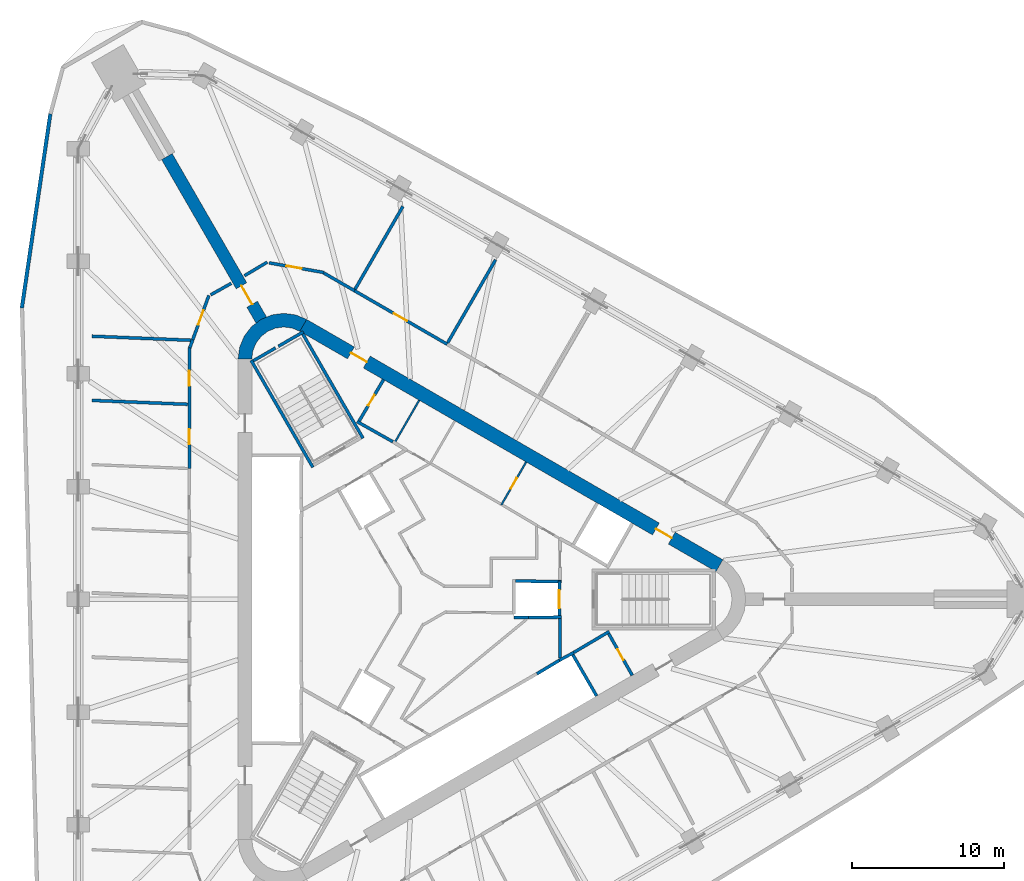
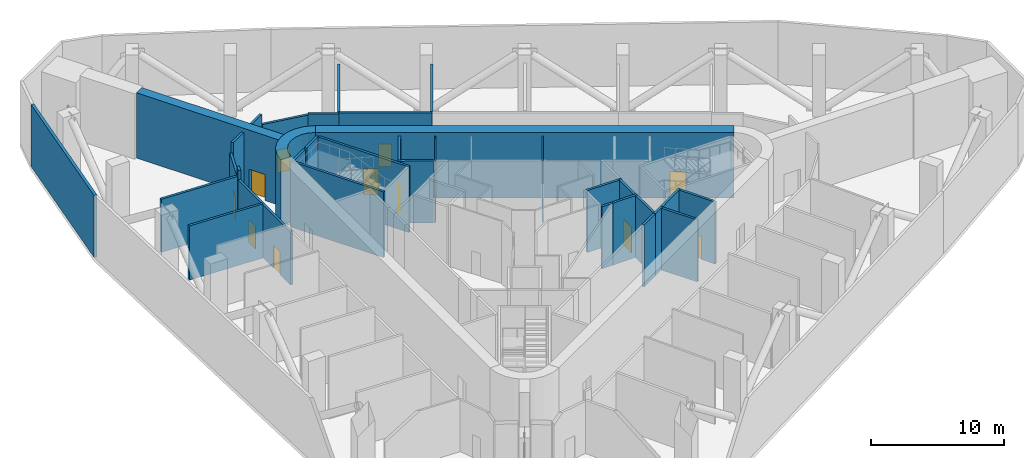
# One storey, part 6 of 13: 34 walls, 12 doors, 12 openings.
"""IFC4 building model written with IfcOpenShell, lengths in metres."""

from ifc_helpers import new_model, si_unit, direction, frame, frame_2d, origin, place, context, subcontext, project, spatial, polyline, rectangle, outline, extrude, material, layer, layer_set, type_object, element, fill, save


model = new_model("IFC4")

# Units and contexts
model_context = context("Model", 3, precision=1e-05, world=origin(), true_north=direction((0.0, 1.0)))
body_context = subcontext(model_context, "Body", "Model", "MODEL_VIEW")
ifc_project = project(units=[si_unit("LENGTHUNIT", "METRE"), si_unit("AREAUNIT", "SQUARE_METRE"), si_unit("VOLUMEUNIT", "CUBIC_METRE"), si_unit("PLANEANGLEUNIT", "RADIAN"), si_unit("MASSUNIT", "GRAM", prefix="KILO")], contexts=[model_context])

# Site, building, storey
site_placement = place(None, origin())
site = spatial("IfcSite", under=ifc_project, at=site_placement, CompositionType="ELEMENT")
building_placement = place(site_placement, origin())
building = spatial("IfcBuilding", under=site, at=building_placement, Name="Tanit Gate Tower", CompositionType="ELEMENT")
storey_placement = place(building_placement, frame((0.0, 0.0, 163.199951171875)))
storey = spatial("IfcBuildingStorey", under=building, at=storey_placement, Name="L35", CompositionType="ELEMENT", Elevation=163.199951171875)

# Wall, opening, door
ifc_material_1 = material(Name="Concrete C60/75", Category="concrete")
ifc_layer_1 = layer(ifc_material_1, 0.800048828125)
ifc_layer_set_1 = layer_set([ifc_layer_1], Name="BUTTRESS FIN 800 C60/75")
wall_type_1 = type_object("IfcWallType", Name="BUTTRESS FIN 800 C60/75", PredefinedType="SHEAR", material=ifc_layer_set_1)
wall_1_placement = place(storey_placement, frame((-10.574951171875, 18.31640625, 0.0), z_axis=(0.0, 0.0, 1.0), x_axis=(-0.500002326941, 0.86602406032, 0.0)))
wall_1 = element("IfcWall", 1, at=wall_1_placement, inside=storey, type_object=wall_type_1, Name="BUTTRESS FIN", PredefinedType="SHEAR", context=body_context, shape_type="SweptSolid", body=[
    extrude(rectangle(XDim=12.3837890625, YDim=0.800048828125, at=frame_2d((6.19189453125, 0.0))), origin(), (0.0, 0.0, 1.0), 6.0),
])
opening_1_placement = place(wall_1_placement, frame((1.199951171875, 0.0, 0.0)))
opening_1 = element("IfcOpeningElement", 2, at=opening_1_placement, cuts=wall_1, Name="Opening P14-35-F-NW-1", PredefinedType="OPENING", context=body_context, shape_type="SweptSolid", body=[
    extrude(rectangle(XDim=1.39990234375, YDim=2.39990234375, at=frame_2d((0.699951171875, 1.199951171875))), frame((0.0, 0.41015625, 0.0), z_axis=(0.0, -1.0, 0.0), x_axis=(1.0, 0.0, 0.0)), (0.0, 0.0, 1.0), 0.820068359375),
])
ifc_material_2 = material(Name="Timber door leaf", Category="wood")
door_type_1 = type_object("IfcDoorType", Name="INT-DOOR-FIN-PAIR-1400", OperationType="NOTDEFINED", PredefinedType="NOTDEFINED", material=ifc_material_2)
door_1_placement = place(opening_1_placement, origin())
door_1 = element("IfcDoor", 3, at=door_1_placement, inside=storey, type_object=door_type_1, Name="Door P14-35-F-NW-1", OperationType="DOUBLE_DOOR_SINGLE_SWING", OverallHeight=2.39990234375, OverallWidth=1.39990234375, PredefinedType="NOTDEFINED", context=body_context, shape_type="SweptSolid", body=[
    extrude(rectangle(XDim=1.39990234375, YDim=2.39990234375, at=frame_2d((0.699951171875, 1.199951171875))), frame((0.0, 0.02490234375, 0.0), z_axis=(0.0, -1.0, 0.0), x_axis=(1.0, 0.0, 0.0)), (0.0, 0.0, 1.0), 0.050048828125),
])
fill(opening_1, door_1)

# Wall, openings, doors
ifc_material_3 = material(Name="Concrete C60/75", Category="concrete")
ifc_layer_2 = layer(ifc_material_3, 0.89990234375)
ifc_layer_set_2 = layer_set([ifc_layer_2], Name="CORE WALL 900 C60/75")
wall_type_2 = type_object("IfcWallType", Name="CORE WALL 900 C60/75", PredefinedType="SHEAR", material=ifc_layer_set_2)
wall_2_placement = place(storey_placement, frame((19.47509765625, 2.20849609375, 0.0), z_axis=(0.0, 0.0, 1.0), x_axis=(-0.866028369851, 0.499994862586, 0.0)))
wall_2 = element("IfcWall", 4, at=wall_2_placement, inside=storey, type_object=wall_type_2, Name="CORE WALL", PredefinedType="SHEAR", context=body_context, shape_type="SweptSolid", body=[
    extrude(rectangle(XDim=31.523193359375, YDim=0.89990234375, at=frame_2d((15.76171875, 0.0))), origin(), (0.0, 0.0, 1.0), 6.0),
])
opening_2_placement = place(wall_2_placement, frame((3.611572265625, 0.0, 0.0)))
opening_2 = element("IfcOpeningElement", 5, at=opening_2_placement, cuts=wall_2, Name="Opening F12-35-FL1", PredefinedType="OPENING", context=body_context, shape_type="SweptSolid", body=[
    extrude(rectangle(XDim=1.199951171875, YDim=2.39990234375, at=frame_2d((0.60009765625, 1.199951171875))), frame((0.0, 0.4599609375, 0.0), z_axis=(0.0, -1.0, 0.0), x_axis=(1.0, 0.0, 0.0)), (0.0, 0.0, 1.0), 0.919921875),
])
opening_3_placement = place(wall_2_placement, frame((26.711669921875, 0.0, 0.0)))
opening_3 = element("IfcOpeningElement", 6, at=opening_3_placement, cuts=wall_2, Name="Opening F12-35-S2", PredefinedType="OPENING", context=body_context, shape_type="SweptSolid", body=[
    extrude(rectangle(XDim=1.199951171875, YDim=2.39990234375, at=frame_2d((0.60009765625, 1.199951171875))), frame((0.0, 0.4599609375, 0.0), z_axis=(0.0, -1.0, 0.0), x_axis=(1.0, 0.0, 0.0)), (0.0, 0.0, 1.0), 0.919921875),
])
ifc_material_4 = material(Name="Fire-rated steel door leaf", Category="steel")
door_type_2 = type_object("IfcDoorType", Name="INT-DOOR-FIRE-LOBBY-1200", OperationType="NOTDEFINED", PredefinedType="USERDEFINED", material=ifc_material_4)
door_2_placement = place(opening_2_placement, origin())
door_2 = element("IfcDoor", 7, at=door_2_placement, inside=storey, type_object=door_type_2, Name="Door F12-35-FL1", ObjectType="FIRE DOOR", OperationType="SINGLE_SWING_RIGHT", OverallHeight=2.39990234375, OverallWidth=1.199951171875, PredefinedType="USERDEFINED", context=body_context, shape_type="SweptSolid", body=[
    extrude(rectangle(XDim=1.199951171875, YDim=2.39990234375, at=frame_2d((0.60009765625, 1.199951171875))), frame((0.0, 0.02490234375, 0.0), z_axis=(0.0, -1.0, 0.0), x_axis=(1.0, 0.0, 0.0)), (0.0, 0.0, 1.0), 0.050048828125),
])
fill(opening_2, door_2)
door_3_placement = place(opening_3_placement, origin())
door_3 = element("IfcDoor", 8, at=door_3_placement, inside=storey, type_object=door_type_2, Name="Door F12-35-S2", ObjectType="FIRE DOOR", OperationType="SINGLE_SWING_RIGHT", OverallHeight=2.39990234375, OverallWidth=1.199951171875, PredefinedType="USERDEFINED", context=body_context, shape_type="SweptSolid", body=[
    extrude(rectangle(XDim=1.199951171875, YDim=2.39990234375, at=frame_2d((0.60009765625, 1.199951171875))), frame((0.0, 0.02490234375, 0.0), z_axis=(0.0, -1.0, 0.0), x_axis=(1.0, 0.0, 0.0)), (0.0, 0.0, 1.0), 0.050048828125),
])
fill(opening_3, door_3)

# Walls
wall_3_placement = place(storey_placement, origin())
element("IfcWall", 9, at=wall_3_placement, inside=storey, type_object=wall_type_2, Name="CORE WALL CORNER", PredefinedType="SHEAR", context=body_context, shape_type="SweptSolid", body=[
    extrude(outline(polyline([(-7.60009765625, 18.359619140625), (-8.323486328125, 18.659423828125), (-9.10009765625, 18.76171875), (-9.87646484375, 18.659423828125), (-10.60009765625, 18.359619140625), (-11.22119140625, 17.883056640625), (-11.697998046875, 17.26171875), (-11.997802734375, 16.5380859375), (-12.10009765625, 15.76171875), (-11.199951171875, 15.76171875), (-11.12841796875, 16.30517578125), (-10.918701171875, 16.811767578125), (-10.5849609375, 17.24658203125), (-10.14990234375, 17.580322265625), (-9.6435546875, 17.7900390625), (-9.10009765625, 17.86181640625), (-8.556396484375, 17.7900390625), (-8.050048828125, 17.580322265625), (-7.60009765625, 18.359619140625)])), origin(), (0.0, 0.0, 1.0), 6.0),
])
ifc_material_5 = material(Name="Concrete C30/37 with bronze anodised aluminium cladding", Category="concrete")
ifc_layer_3 = layer(ifc_material_5, 0.239990234375)
ifc_layer_set_3 = layer_set([ifc_layer_3], Name="Facade wall bronze clad 240")
wall_type_3 = type_object("IfcWallType", Name="Facade wall bronze clad 240", PredefinedType="SOLIDWALL", material=ifc_layer_set_3)
wall_4_placement = place(storey_placement, frame((-24.414794921875, 31.841552734375, 0.0), z_axis=(0.0, 0.0, 1.0), x_axis=(-0.145206079159, -0.989401432471, 0.0)))
element("IfcWall", 10, at=wall_4_placement, inside=storey, type_object=wall_type_3, Name="Bronze-clad facade wall L35 W1", PredefinedType="SOLIDWALL", context=body_context, shape_type="SweptSolid", body=[
    extrude(rectangle(XDim=12.86572265625, YDim=0.239990234375, at=frame_2d((6.432861328125, 0.0))), origin(), (0.0, 0.0, 1.0), 5.699951171875),
])
ifc_material_6 = material(Name="Fire-rated gypsum board partition")
ifc_layer_4 = layer(ifc_material_6, 0.199951171875)
ifc_layer_set_4 = layer_set([ifc_layer_4], Name="INT-WALL-COMPARTMENT")
wall_type_4 = type_object("IfcWallType", Name="INT-WALL-COMPARTMENT", PredefinedType="PARTITIONING", material=ifc_layer_set_4)
wall_5_placement = place(storey_placement, frame((-4.296142578125, 11.658935546875, 0.0), z_axis=(0.0, 0.0, 1.0), x_axis=(0.871534483978, -0.490334215854, 0.0)))
element("IfcWall", 11, at=wall_5_placement, inside=storey, type_object=wall_type_4, Name="Wall Compartment W062", PredefinedType="PARTITIONING", context=body_context, shape_type="SweptSolid", body=[
    extrude(rectangle(XDim=2.7001953125, YDim=0.199951171875, at=frame_2d((1.35009765625, 0.0))), origin(), (0.0, 0.0, 1.0), 5.699951171875),
])

# Wall, opening, door
wall_6_placement = place(storey_placement, frame((-2.557861328125, 14.409423828125, 0.0), z_axis=(0.0, 0.0, 1.0), x_axis=(-0.508018930956, -0.861345903683, 0.0)))
wall_6 = element("IfcWall", 12, at=wall_6_placement, inside=storey, type_object=wall_type_4, Name="Wall Compartment W063", PredefinedType="PARTITIONING", context=body_context, shape_type="SweptSolid", body=[
    extrude(rectangle(XDim=3.150146484375, YDim=0.199951171875, at=frame_2d((1.5751953125, 0.0))), origin(), (0.0, 0.0, 1.0), 5.699951171875),
])
opening_4_placement = place(wall_6_placement, frame((1.175048828125, 0.0, 0.0)))
opening_4 = element("IfcOpeningElement", 13, at=opening_4_placement, cuts=wall_6, Name="Opening R08-35-17", PredefinedType="OPENING", context=body_context, shape_type="SweptSolid", body=[
    extrude(rectangle(XDim=0.800048828125, YDim=2.10009765625, at=frame_2d((0.39990234375, 1.050048828125))), frame((0.0, 0.10986328125, 0.0), z_axis=(0.0, -1.0, 0.0), x_axis=(1.0, 0.0, 0.0)), (0.0, 0.0, 1.0), 0.219970703125),
])
ifc_material_7 = material(Name="Timber door leaf", Category="wood")
door_type_3 = type_object("IfcDoorType", Name="INT-DOOR-RISER-800", OperationType="NOTDEFINED", PredefinedType="USERDEFINED", material=ifc_material_7)
door_4_placement = place(opening_4_placement, origin())
door_4 = element("IfcDoor", 14, at=door_4_placement, inside=storey, type_object=door_type_3, Name="Door R08-35-17", ObjectType="FIRE DOOR", OperationType="SINGLE_SWING_RIGHT", OverallHeight=2.10009765625, OverallWidth=0.800048828125, PredefinedType="USERDEFINED", context=body_context, shape_type="SweptSolid", body=[
    extrude(rectangle(XDim=0.800048828125, YDim=2.10009765625, at=frame_2d((0.39990234375, 1.050048828125))), frame((0.0, 0.02490234375, 0.0), z_axis=(0.0, -1.0, 0.0), x_axis=(1.0, 0.0, 0.0)), (0.0, 0.0, 1.0), 0.050048828125),
])
fill(opening_4, door_4)

# Wall
wall_7_placement = place(storey_placement, frame((12.244873046875, -2.10888671875, 0.0), z_axis=(0.0, 0.0, 1.0), x_axis=(-0.860414880418, -0.509594185166, 0.0)))
element("IfcWall", 15, at=wall_7_placement, inside=storey, type_object=wall_type_4, Name="Wall Compartment W064", PredefinedType="PARTITIONING", context=body_context, shape_type="SweptSolid", body=[
    extrude(rectangle(XDim=2.7001953125, YDim=0.199951171875, at=frame_2d((1.35009765625, 0.0))), origin(), (0.0, 0.0, 1.0), 5.699951171875),
])

# Wall, opening, door
wall_8_placement = place(storey_placement, frame((13.758056640625, -4.989501953125, 0.0), z_axis=(0.0, 0.0, 1.0), x_axis=(-0.491993409184, 0.87059892334, 0.0)))
wall_8 = element("IfcWall", 16, at=wall_8_placement, inside=storey, type_object=wall_type_4, Name="Wall Compartment W065", PredefinedType="PARTITIONING", context=body_context, shape_type="SweptSolid", body=[
    extrude(rectangle(XDim=3.150146484375, YDim=0.199951171875, at=frame_2d((1.5751953125, 0.0))), origin(), (0.0, 0.0, 1.0), 5.699951171875),
])
opening_5_placement = place(wall_8_placement, frame((1.175048828125, 0.0, 0.0)))
opening_5 = element("IfcOpeningElement", 17, at=opening_5_placement, cuts=wall_8, Name="Opening R08-35-18", PredefinedType="OPENING", context=body_context, shape_type="SweptSolid", body=[
    extrude(rectangle(XDim=0.800048828125, YDim=2.10009765625, at=frame_2d((0.39990234375, 1.050048828125))), frame((0.0, 0.10986328125, 0.0), z_axis=(0.0, -1.0, 0.0), x_axis=(1.0, 0.0, 0.0)), (0.0, 0.0, 1.0), 0.219970703125),
])
door_5_placement = place(opening_5_placement, origin())
door_5 = element("IfcDoor", 18, at=door_5_placement, inside=storey, type_object=door_type_3, Name="Door R08-35-18", ObjectType="FIRE DOOR", OperationType="SINGLE_SWING_RIGHT", OverallHeight=2.10009765625, OverallWidth=0.800048828125, PredefinedType="USERDEFINED", context=body_context, shape_type="SweptSolid", body=[
    extrude(rectangle(XDim=0.800048828125, YDim=2.10009765625, at=frame_2d((0.39990234375, 1.050048828125))), frame((0.0, 0.02490234375, 0.0), z_axis=(0.0, -1.0, 0.0), x_axis=(1.0, 0.0, 0.0)), (0.0, 0.0, 1.0), 0.050048828125),
])
fill(opening_5, door_5)

# Wall
wall_9_placement = place(storey_placement, frame((9.02880859375, -3.8505859375, 0.0), z_axis=(0.0, 0.0, 1.0), x_axis=(-0.010784614026, 0.999941844359, 0.0)))
element("IfcWall", 19, at=wall_9_placement, inside=storey, type_object=wall_type_4, Name="Wall Compartment W066", PredefinedType="PARTITIONING", context=body_context, shape_type="SweptSolid", body=[
    extrude(rectangle(XDim=2.580810546875, YDim=0.199951171875, at=frame_2d((1.29052734375, 0.0))), origin(), (0.0, 0.0, 1.0), 5.699951171875),
])

# Wall, opening, door
wall_10_placement = place(storey_placement, frame((-14.01611328125, 19.932373046875, 0.0), z_axis=(0.0, 0.0, 1.0), x_axis=(-0.342040663333, -0.93968515186, 0.0)))
wall_10 = element("IfcWall", 20, at=wall_10_placement, inside=storey, type_object=wall_type_4, Name="Wall Compartment W091", PredefinedType="PARTITIONING", context=body_context, shape_type="SweptSolid", body=[
    extrude(rectangle(XDim=3.095703125, YDim=0.199951171875, at=frame_2d((1.5478515625, 0.0))), origin(), (0.0, 0.0, 1.0), 4.780029296875),
])
opening_6_placement = place(wall_10_placement, frame((1.037109375, 0.0, 0.0)))
opening_6 = element("IfcOpeningElement", 21, at=opening_6_placement, cuts=wall_10, Name="Opening F10-35-19", PredefinedType="OPENING", context=body_context, shape_type="SweptSolid", body=[
    extrude(rectangle(XDim=1.0, YDim=2.10009765625, at=frame_2d((0.5, 1.050048828125))), frame((0.0, 0.10986328125, 0.0), z_axis=(0.0, -1.0, 0.0), x_axis=(1.0, 0.0, 0.0)), (0.0, 0.0, 1.0), 0.219970703125),
])
ifc_material_8 = material(Name="Fire-rated steel door leaf", Category="steel")
door_type_4 = type_object("IfcDoorType", Name="INT-DOOR-FIRE-1000", OperationType="NOTDEFINED", PredefinedType="USERDEFINED", material=ifc_material_8)
door_6_placement = place(opening_6_placement, origin())
door_6 = element("IfcDoor", 22, at=door_6_placement, inside=storey, type_object=door_type_4, Name="Door F10-35-19", ObjectType="FIRE DOOR", OperationType="SINGLE_SWING_RIGHT", OverallHeight=2.10009765625, OverallWidth=1.0, PredefinedType="USERDEFINED", context=body_context, shape_type="SweptSolid", body=[
    extrude(rectangle(XDim=1.0, YDim=2.10009765625, at=frame_2d((0.5, 1.050048828125))), frame((0.0, 0.02490234375, 0.0), z_axis=(0.0, -1.0, 0.0), x_axis=(1.0, 0.0, 0.0)), (0.0, 0.0, 1.0), 0.050048828125),
])
fill(opening_6, door_6)

# Walls
wall_11_placement = place(storey_placement, frame((-15.074951171875, 17.0234375, 0.0), z_axis=(0.0, 0.0, 1.0), x_axis=(-0.342234962653, -0.939614405135, 0.0)))
element("IfcWall", 23, at=wall_11_placement, inside=storey, type_object=wall_type_4, Name="Wall Compartment W094", PredefinedType="PARTITIONING", context=body_context, shape_type="SweptSolid", body=[
    extrude(rectangle(XDim=0.557861328125, YDim=0.199951171875, at=frame_2d((0.27880859375, 0.0))), origin(), (0.0, 0.0, 1.0), 5.699951171875),
])
wall_12_placement = place(storey_placement, frame((-12.54443359375, 20.727783203125, 0.0), z_axis=(0.0, 0.0, 1.0), x_axis=(-0.872739922591, -0.488185443777, 0.0)))
element("IfcWall", 24, at=wall_12_placement, inside=storey, type_object=wall_type_4, Name="Wall Compartment W092", PredefinedType="PARTITIONING", context=body_context, shape_type="SweptSolid", body=[
    extrude(rectangle(XDim=1.5478515625, YDim=0.199951171875, at=frame_2d((0.77392578125, 0.0))), origin(), (0.0, 0.0, 1.0), 5.699951171875),
])

# Wall, openings, doors
wall_13_placement = place(storey_placement, frame((-15.300048828125, 16.50537109375, 0.0), z_axis=(0.0, 0.0, 1.0), x_axis=(0.0, -1.0, 0.0)))
wall_13 = element("IfcWall", 25, at=wall_13_placement, inside=storey, type_object=wall_type_4, Name="Wall Compartment W093", PredefinedType="PARTITIONING", context=body_context, shape_type="SweptSolid", body=[
    extrude(rectangle(XDim=7.91943359375, YDim=0.199951171875, at=frame_2d((3.959716796875, 0.0))), origin(), (0.0, 0.0, 1.0), 4.880126953125),
])
opening_7_placement = place(wall_13_placement, frame((1.5, 0.0, 0.0)))
opening_7 = element("IfcOpeningElement", 26, at=opening_7_placement, cuts=wall_13, Name="Opening F10-35-20", PredefinedType="OPENING", context=body_context, shape_type="SweptSolid", body=[
    extrude(rectangle(XDim=1.0, YDim=2.10009765625, at=frame_2d((0.5, 1.050048828125))), frame((0.0, 0.10986328125, 0.0), z_axis=(0.0, -1.0, 0.0), x_axis=(1.0, 0.0, 0.0)), (0.0, 0.0, 1.0), 0.219970703125),
])
opening_8_placement = place(wall_13_placement, frame((5.345703125, 0.0, 0.0)))
opening_8 = element("IfcOpeningElement", 27, at=opening_8_placement, cuts=wall_13, Name="Opening F10-35-21", PredefinedType="OPENING", context=body_context, shape_type="SweptSolid", body=[
    extrude(rectangle(XDim=1.0, YDim=2.10009765625, at=frame_2d((0.5, 1.050048828125))), frame((0.0, 0.10986328125, 0.0), z_axis=(0.0, -1.0, 0.0), x_axis=(1.0, 0.0, 0.0)), (0.0, 0.0, 1.0), 0.219970703125),
])
door_7_placement = place(opening_7_placement, origin())
door_7 = element("IfcDoor", 28, at=door_7_placement, inside=storey, type_object=door_type_4, Name="Door F10-35-20", ObjectType="FIRE DOOR", OperationType="SINGLE_SWING_RIGHT", OverallHeight=2.10009765625, OverallWidth=1.0, PredefinedType="USERDEFINED", context=body_context, shape_type="SweptSolid", body=[
    extrude(rectangle(XDim=1.0, YDim=2.10009765625, at=frame_2d((0.5, 1.050048828125))), frame((0.0, 0.02490234375, 0.0), z_axis=(0.0, -1.0, 0.0), x_axis=(1.0, 0.0, 0.0)), (0.0, 0.0, 1.0), 0.050048828125),
])
fill(opening_7, door_7)
door_8_placement = place(opening_8_placement, origin())
door_8 = element("IfcDoor", 29, at=door_8_placement, inside=storey, type_object=door_type_4, Name="Door F10-35-21", ObjectType="FIRE DOOR", OperationType="SINGLE_SWING_LEFT", OverallHeight=2.10009765625, OverallWidth=1.0, PredefinedType="USERDEFINED", context=body_context, shape_type="SweptSolid", body=[
    extrude(rectangle(XDim=1.0, YDim=2.10009765625, at=frame_2d((0.5, 1.050048828125))), frame((0.0, 0.02490234375, 0.0), z_axis=(0.0, -1.0, 0.0), x_axis=(1.0, 0.0, 0.0)), (0.0, 0.0, 1.0), 0.050048828125),
])
fill(opening_8, door_8)

# Walls
wall_14_placement = place(storey_placement, frame((-21.677490234375, 17.25830078125, 0.0), z_axis=(0.0, 0.0, 1.0), x_axis=(0.999160622843, -0.040964005658, 0.0)))
element("IfcWall", 30, at=wall_14_placement, inside=storey, type_object=wall_type_4, Name="Wall Compartment W104", PredefinedType="PARTITIONING", context=body_context, shape_type="SweptSolid", body=[
    extrude(rectangle(XDim=6.490234375, YDim=0.199951171875, at=frame_2d((3.2451171875, 0.0))), origin(), (0.0, 0.0, 1.0), 4.880126953125),
])
wall_15_placement = place(storey_placement, frame((-21.677490234375, 13.04833984375, 0.0), z_axis=(0.0, 0.0, 1.0), x_axis=(0.999168860774, -0.04076257671, 0.0)))
element("IfcWall", 31, at=wall_15_placement, inside=storey, type_object=wall_type_4, Name="Wall Compartment W105", PredefinedType="PARTITIONING", context=body_context, shape_type="SweptSolid", body=[
    extrude(rectangle(XDim=6.28271484375, YDim=0.199951171875, at=frame_2d((3.141357421875, 0.0))), origin(), (0.0, 0.0, 1.0), 4.97998046875),
])

# Wall, opening, door
wall_16_placement = place(storey_placement, frame((1.61669921875, 16.7333984375, 0.0), z_axis=(0.0, 0.0, 1.0), x_axis=(-0.866020444499, 0.500008589636, 0.0)))
wall_16 = element("IfcWall", 32, at=wall_16_placement, inside=storey, type_object=wall_type_4, Name="Wall Compartment W119", PredefinedType="PARTITIONING", context=body_context, shape_type="SweptSolid", body=[
    extrude(rectangle(XDim=7.0166015625, YDim=0.199951171875, at=frame_2d((3.50830078125, 0.0))), origin(), (0.0, 0.0, 1.0), 4.97998046875),
])
opening_9_placement = place(wall_16_placement, frame((3.050048828125, 0.0, 0.0)))
opening_9 = element("IfcOpeningElement", 33, at=opening_9_placement, cuts=wall_16, Name="Opening F10-35-33", PredefinedType="OPENING", context=body_context, shape_type="SweptSolid", body=[
    extrude(rectangle(XDim=1.0, YDim=2.10009765625, at=frame_2d((0.5, 1.050048828125))), frame((0.0, 0.10986328125, 0.0), z_axis=(0.0, -1.0, 0.0), x_axis=(1.0, 0.0, 0.0)), (0.0, 0.0, 1.0), 0.219970703125),
])
door_9_placement = place(opening_9_placement, origin())
door_9 = element("IfcDoor", 34, at=door_9_placement, inside=storey, type_object=door_type_4, Name="Door F10-35-33", ObjectType="FIRE DOOR", OperationType="SINGLE_SWING_LEFT", OverallHeight=2.10009765625, OverallWidth=1.0, PredefinedType="USERDEFINED", context=body_context, shape_type="SweptSolid", body=[
    extrude(rectangle(XDim=1.0, YDim=2.10009765625, at=frame_2d((0.5, 1.050048828125))), frame((0.0, 0.02490234375, 0.0), z_axis=(0.0, -1.0, 0.0), x_axis=(1.0, 0.0, 0.0)), (0.0, 0.0, 1.0), 0.050048828125),
])
fill(opening_9, door_9)

# Walls
wall_17_placement = place(storey_placement, frame((-4.459716796875, 20.24169921875, 0.0), z_axis=(0.0, 0.0, 1.0), x_axis=(-0.866008748622, 0.500028846479, 0.0)))
element("IfcWall", 35, at=wall_17_placement, inside=storey, type_object=wall_type_4, Name="Wall Compartment W122", PredefinedType="PARTITIONING", context=body_context, shape_type="SweptSolid", body=[
    extrude(rectangle(XDim=2.322021484375, YDim=0.199951171875, at=frame_2d((1.1611328125, 0.0))), origin(), (0.0, 0.0, 1.0), 4.880126953125),
])
wall_18_placement = place(storey_placement, frame((-10.185302734375, 22.1171875, 0.0), z_axis=(0.0, 0.0, 1.0), x_axis=(-0.859137024003, -0.511745614526, 0.0)))
element("IfcWall", 36, at=wall_18_placement, inside=storey, type_object=wall_type_4, Name="Wall Compartment W120", PredefinedType="PARTITIONING", context=body_context, shape_type="SweptSolid", body=[
    extrude(rectangle(XDim=1.738037109375, YDim=0.199951171875, at=frame_2d((0.869140625, 0.0))), origin(), (0.0, 0.0, 1.0), 5.699951171875),
])

# Wall, opening, door
wall_19_placement = place(storey_placement, frame((-6.458984375, 21.435546875, 0.0), z_axis=(0.0, 0.0, 1.0), x_axis=(-0.984812396858, 0.173621839051, 0.0)))
wall_19 = element("IfcWall", 37, at=wall_19_placement, inside=storey, type_object=wall_type_4, Name="Wall Compartment W121", PredefinedType="PARTITIONING", context=body_context, shape_type="SweptSolid", body=[
    extrude(rectangle(XDim=3.6630859375, YDim=0.199951171875, at=frame_2d((1.83154296875, 0.0))), origin(), (0.0, 0.0, 1.0), 4.780029296875),
])
opening_10_placement = place(wall_19_placement, frame((1.5, 0.0, 0.0)))
opening_10 = element("IfcOpeningElement", 38, at=opening_10_placement, cuts=wall_19, Name="Opening F10-35-34", PredefinedType="OPENING", context=body_context, shape_type="SweptSolid", body=[
    extrude(rectangle(XDim=1.0, YDim=2.10009765625, at=frame_2d((0.5, 1.050048828125))), frame((0.0, 0.10986328125, 0.0), z_axis=(0.0, -1.0, 0.0), x_axis=(1.0, 0.0, 0.0)), (0.0, 0.0, 1.0), 0.219970703125),
])
door_10_placement = place(opening_10_placement, origin())
door_10 = element("IfcDoor", 39, at=door_10_placement, inside=storey, type_object=door_type_4, Name="Door F10-35-34", ObjectType="FIRE DOOR", OperationType="SINGLE_SWING_RIGHT", OverallHeight=2.10009765625, OverallWidth=1.0, PredefinedType="USERDEFINED", context=body_context, shape_type="SweptSolid", body=[
    extrude(rectangle(XDim=1.0, YDim=2.10009765625, at=frame_2d((0.5, 1.050048828125))), frame((0.0, 0.02490234375, 0.0), z_axis=(0.0, -1.0, 0.0), x_axis=(1.0, 0.0, 0.0)), (0.0, 0.0, 1.0), 0.050048828125),
])
fill(opening_10, door_10)

# Walls
for number, where, z_axis, x_axis, name in (
    (40, (1.6494140625, 16.830078125, 0.0), (0.0, 0.0, 1.0), (0.499987288472, 0.866032742664, 0.0), "Wall Compartment W126"),
    (41, (-4.42724609375, 20.33837890625, 0.0), (0.0, 0.0, 1.0), (0.500016456633, 0.866015902334, 0.0), "Wall Compartment W127"),
):
    element("IfcWall", number, at=place(storey_placement, frame(where, z_axis=z_axis, x_axis=x_axis)), inside=storey, type_object=wall_type_4, Name=name, PredefinedType="PARTITIONING", context=body_context, shape_type="SweptSolid", body=[
        extrude(rectangle(XDim=6.277587890625, YDim=0.199951171875, at=frame_2d((3.138671875, 0.0))), origin(), (0.0, 0.0, 1.0), 4.97998046875),
    ])

# Wall, opening, door
ifc_material_9 = material(Name="Gypsum board partition")
ifc_layer_5 = layer(ifc_material_9, 0.1201171875)
ifc_layer_set_5 = layer_set([ifc_layer_5], Name="INT-WALL-PARTITION")
wall_type_5 = type_object("IfcWallType", Name="INT-WALL-PARTITION", PredefinedType="PARTITIONING", material=ifc_layer_set_5)
wall_20_placement = place(storey_placement, frame((6.795166015625, 9.009521484375, 0.0), z_axis=(0.0, 0.0, 1.0), x_axis=(-0.499984717929, -0.866034226713, 0.0)))
wall_20 = element("IfcWall", 42, at=wall_20_placement, inside=storey, type_object=wall_type_5, Name="Wall Partition W053", PredefinedType="PARTITIONING", context=body_context, shape_type="SweptSolid", body=[
    extrude(rectangle(XDim=3.25, YDim=0.1201171875, at=frame_2d((1.625, 0.0))), origin(), (0.0, 0.0, 1.0), 5.699951171875),
])
opening_11_placement = place(wall_20_placement, frame((1.22509765625, 0.0, 0.0)))
opening_11 = element("IfcOpeningElement", 43, at=opening_11_placement, cuts=wall_20, Name="Opening R08-35-15", PredefinedType="OPENING", context=body_context, shape_type="SweptSolid", body=[
    extrude(rectangle(XDim=0.800048828125, YDim=2.10009765625, at=frame_2d((0.39990234375, 1.050048828125))), frame((0.0, 0.070068359375, 0.0), z_axis=(0.0, -1.0, 0.0), x_axis=(1.0, 0.0, 0.0)), (0.0, 0.0, 1.0), 0.14013671875),
])
door_11_placement = place(opening_11_placement, origin())
door_11 = element("IfcDoor", 44, at=door_11_placement, inside=storey, type_object=door_type_3, Name="Door R08-35-15", ObjectType="FIRE DOOR", OperationType="SINGLE_SWING_LEFT", OverallHeight=2.10009765625, OverallWidth=0.800048828125, PredefinedType="USERDEFINED", context=body_context, shape_type="SweptSolid", body=[
    extrude(rectangle(XDim=0.800048828125, YDim=2.10009765625, at=frame_2d((0.39990234375, 1.050048828125))), frame((0.0, 0.02490234375, 0.0), z_axis=(0.0, -1.0, 0.0), x_axis=(1.0, 0.0, 0.0)), (0.0, 0.0, 1.0), 0.050048828125),
])
fill(opening_11, door_11)

# Walls
wall_21_placement = place(storey_placement, frame((-0.2197265625, 13.0595703125, 0.0), z_axis=(0.0, 0.0, 1.0), x_axis=(-0.499984717929, -0.866034226713, 0.0)))
element("IfcWall", 45, at=wall_21_placement, inside=storey, type_object=wall_type_5, Name="Wall Partition W059", PredefinedType="PARTITIONING", context=body_context, shape_type="SweptSolid", body=[
    extrude(rectangle(XDim=3.25, YDim=0.1201171875, at=frame_2d((1.625, 0.0))), origin(), (0.0, 0.0, 1.0), 5.699951171875),
])
ifc_material_10 = material(Name="Gypsum shaft wall system")
ifc_layer_6 = layer(ifc_material_10, 0.199951171875)
ifc_layer_set_6 = layer_set([ifc_layer_6], Name="INT-WALL-SHAFT")
wall_type_6 = type_object("IfcWallType", Name="INT-WALL-SHAFT", PredefinedType="PLUMBINGWALL", material=ifc_layer_set_6)
wall_22_placement = place(storey_placement, frame((9.794677734375, -3.52490234375, 0.0), z_axis=(0.0, 0.0, 1.0), x_axis=(0.499984717929, -0.866034226713, 0.0)))
element("IfcWall", 46, at=wall_22_placement, inside=storey, type_object=wall_type_6, Name="Wall Shaft W016", PredefinedType="PLUMBINGWALL", context=body_context, shape_type="SweptSolid", body=[
    extrude(rectangle(XDim=3.25, YDim=0.199951171875, at=frame_2d((1.625, 0.0))), origin(), (0.0, 0.0, 1.0), 5.699951171875),
])
wall_23_placement = place(storey_placement, frame((8.97412109375, -3.998779296875, 0.0), z_axis=(0.0, 0.0, 1.0), x_axis=(0.880907015104, 0.473289373154, 0.0)))
element("IfcWall", 47, at=wall_23_placement, inside=storey, type_object=wall_type_6, Name="Wall Shaft W017", PredefinedType="PLUMBINGWALL", context=body_context, shape_type="SweptSolid", body=[
    extrude(rectangle(XDim=1.078125, YDim=0.199951171875, at=frame_2d((0.5390625, 0.0))), origin(), (0.0, 0.0, 1.0), 5.699951171875),
])
wall_24_placement = place(storey_placement, frame((7.497314453125, -4.885986328125, 0.0), z_axis=(0.0, 0.0, 1.0), x_axis=(0.857516281273, 0.51445682749, 0.0)))
element("IfcWall", 48, at=wall_24_placement, inside=storey, type_object=wall_type_6, Name="Wall Shaft W018", PredefinedType="PLUMBINGWALL", context=body_context, shape_type="SweptSolid", body=[
    extrude(rectangle(XDim=1.8447265625, YDim=0.199951171875, at=frame_2d((0.92236328125, 0.0))), origin(), (0.0, 0.0, 1.0), 5.699951171875),
])

# Wall, opening, door
wall_25_placement = place(storey_placement, frame((8.969970703125, 1.199951171875, 0.0), z_axis=(0.0, 0.0, 1.0), x_axis=(0.0, -1.0, 0.0)))
wall_25 = element("IfcWall", 49, at=wall_25_placement, inside=storey, type_object=wall_type_6, Name="Wall Shaft W030", PredefinedType="PLUMBINGWALL", context=body_context, shape_type="SweptSolid", body=[
    extrude(rectangle(XDim=2.39990234375, YDim=0.199951171875, at=frame_2d((1.199951171875, 0.0))), origin(), (0.0, 0.0, 1.0), 5.699951171875),
])
opening_12_placement = place(wall_25_placement, frame((0.60009765625, 0.0, 0.0)))
opening_12 = element("IfcOpeningElement", 50, at=opening_12_placement, cuts=wall_25, Name="Opening LDFL1-L35", PredefinedType="OPENING", context=body_context, shape_type="SweptSolid", body=[
    extrude(rectangle(XDim=1.199951171875, YDim=2.39990234375, at=frame_2d((0.60009765625, 1.199951171875))), frame((0.0, 0.10986328125, 0.0), z_axis=(0.0, -1.0, 0.0), x_axis=(1.0, 0.0, 0.0)), (0.0, 0.0, 1.0), 0.219970703125),
])
ifc_material_11 = material(Name="Stainless steel sliding door leaf", Category="steel")
door_type_5 = type_object("IfcDoorType", Name="INT-DOOR-LANDING-1200", OperationType="NOTDEFINED", PredefinedType="USERDEFINED", material=ifc_material_11)
door_12_placement = place(opening_12_placement, origin())
door_12 = element("IfcDoor", 51, at=door_12_placement, inside=storey, type_object=door_type_5, Name="Door LDFL1-L35", ObjectType="LANDING DOOR", OperationType="SLIDING_TO_LEFT", OverallHeight=2.39990234375, OverallWidth=1.199951171875, PredefinedType="USERDEFINED", context=body_context, shape_type="SweptSolid", body=[
    extrude(rectangle(XDim=1.199951171875, YDim=2.39990234375, at=frame_2d((0.60009765625, 1.199951171875))), frame((0.0, 0.02490234375, 0.0), z_axis=(0.0, -1.0, 0.0), x_axis=(1.0, 0.0, 0.0)), (0.0, 0.0, 1.0), 0.050048828125),
])
fill(opening_12, door_12)

# Walls
wall_26_placement = place(storey_placement, frame((6.948974609375, -1.199951171875, 0.0), z_axis=(0.0, 0.0, 1.0), x_axis=(-1.0, 0.0, 0.0)))
element("IfcWall", 52, at=wall_26_placement, inside=storey, type_object=wall_type_6, Name="Wall Shaft W031", PredefinedType="PLUMBINGWALL", context=body_context, shape_type="SweptSolid", body=[
    extrude(rectangle(XDim=0.948974609375, YDim=0.199951171875, at=frame_2d((0.474609375, 0.0))), origin(), (0.0, 0.0, 1.0), 5.699951171875),
])
wall_27_placement = place(storey_placement, frame((9.10009765625, -1.16845703125, 0.0), z_axis=(0.0, 0.0, 1.0), x_axis=(-0.999896137355, -0.014412303875, 0.0)))
element("IfcWall", 53, at=wall_27_placement, inside=storey, type_object=wall_type_6, Name="Wall Shaft W032", PredefinedType="PLUMBINGWALL", context=body_context, shape_type="SweptSolid", body=[
    extrude(rectangle(XDim=2.1513671875, YDim=0.199951171875, at=frame_2d((1.07568359375, 0.0))), origin(), (0.0, 0.0, 1.0), 5.699951171875),
])
wall_28_placement = place(storey_placement, frame((9.10009765625, 1.1689453125, 0.0), z_axis=(0.0, 0.0, 1.0), x_axis=(-0.99994990606, 0.010009264196, 0.0)))
element("IfcWall", 54, at=wall_28_placement, inside=storey, type_object=wall_type_6, Name="Wall Shaft W034", PredefinedType="PLUMBINGWALL", context=body_context, shape_type="SweptSolid", body=[
    extrude(rectangle(XDim=3.000244140625, YDim=0.199951171875, at=frame_2d((1.5, 0.0))), origin(), (0.0, 0.0, 1.0), 5.699951171875),
])
ifc_material_12 = material(Name="Concrete C40/50", Category="concrete")
ifc_layer_7 = layer(ifc_material_12, 0.199951171875)
ifc_layer_set_7 = layer_set([ifc_layer_7], Name="INT-WALL-STAIR")
wall_type_7 = type_object("IfcWallType", Name="INT-WALL-STAIR", PredefinedType="SHEAR", material=ifc_layer_set_7)
wall_29_placement = place(storey_placement, frame((-11.245361328125, 15.677734375, -0.349853515625), z_axis=(0.0, 0.0, 1.0), x_axis=(0.499977274689, -0.866038523851, 0.0)))
element("IfcWall", 55, at=wall_29_placement, inside=storey, type_object=wall_type_7, Name="Wall Stair W035", PredefinedType="SHEAR", context=body_context, shape_type="SweptSolid", body=[
    extrude(rectangle(XDim=8.10009765625, YDim=0.199951171875, at=frame_2d((4.050048828125, 0.0))), origin(), (0.0, 0.0, 1.0), 6.0498046875),
])
wall_30_placement = place(storey_placement, frame((-7.81787109375, 17.541015625, -0.349853515625), z_axis=(0.0, 0.0, 1.0), x_axis=(-0.866088799389, -0.499890179513, 0.0)))
element("IfcWall", 56, at=wall_30_placement, inside=storey, type_object=wall_type_7, Name="Wall Stair W037", PredefinedType="SHEAR", context=body_context, shape_type="SweptSolid", body=[
    extrude(rectangle(XDim=1.89013671875, YDim=0.199951171875, at=frame_2d((0.945068359375, 0.0))), origin(), (0.0, 0.0, 1.0), 6.0498046875),
])
wall_31_placement = place(storey_placement, frame((-9.645263671875, 16.486083984375, -0.349853515625), z_axis=(0.0, 0.0, 1.0), x_axis=(-0.866038843867, -0.499976720371, 0.0)))
element("IfcWall", 57, at=wall_31_placement, inside=storey, type_object=wall_type_7, Name="Wall Stair W036", PredefinedType="SHEAR", context=body_context, shape_type="SweptSolid", body=[
    extrude(rectangle(XDim=1.68994140625, YDim=0.199951171875, at=frame_2d((0.844970703125, 0.0))), origin(), (0.0, 0.0, 1.0), 6.0498046875),
])
wall_32_placement = place(storey_placement, frame((-7.8544921875, 17.404541015625, -0.349853515625), z_axis=(0.0, 0.0, 1.0), x_axis=(0.499997992926, -0.866026562566, 0.0)))
element("IfcWall", 58, at=wall_32_placement, inside=storey, type_object=wall_type_7, Name="Wall Stair W038", PredefinedType="SHEAR", context=body_context, shape_type="SweptSolid", body=[
    extrude(rectangle(XDim=7.89990234375, YDim=0.199951171875, at=frame_2d((3.949951171875, 0.0))), origin(), (0.0, 0.0, 1.0), 6.0498046875),
])

save(model, "model.ifc")
